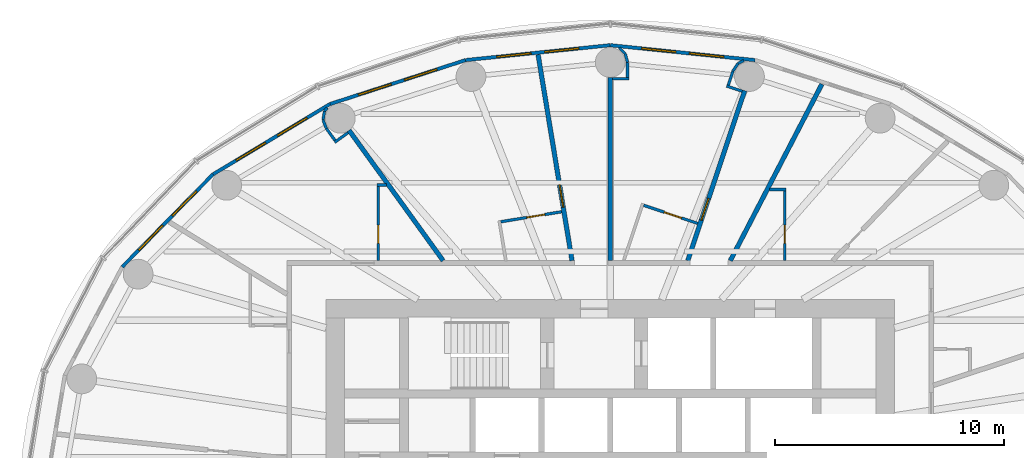
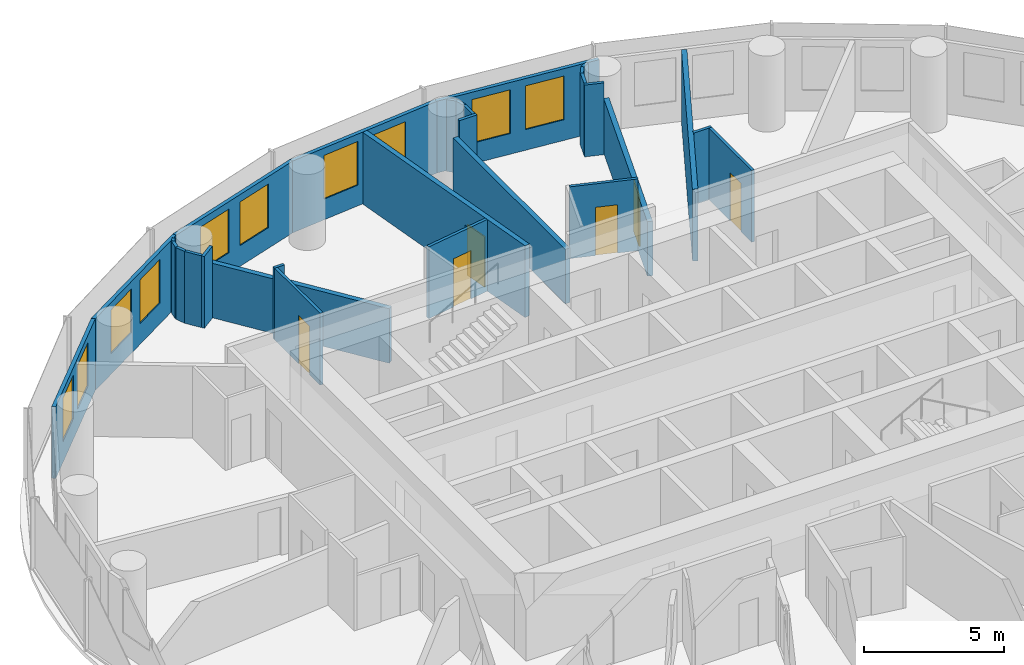
# One storey, part 11 of 13: 29 walls, 10 windows, 6 doors, 16 openings.
"""IFC4 building model written with IfcOpenShell, lengths in metres."""

from ifc_helpers import new_model, si_unit, direction, frame, frame_2d, origin, place, context, subcontext, project, spatial, rectangle, extrude, material, layer, layer_set, type_object, element, fill, save


model = new_model("IFC4")

# Units and contexts
model_context = context("Model", 3, precision=1e-05, world=origin(), true_north=direction((0.0, 1.0)))
body_context = subcontext(model_context, "Body", "Model", "MODEL_VIEW")
ifc_project = project(units=[si_unit("LENGTHUNIT", "METRE"), si_unit("AREAUNIT", "SQUARE_METRE"), si_unit("VOLUMEUNIT", "CUBIC_METRE"), si_unit("PLANEANGLEUNIT", "RADIAN"), si_unit("MASSUNIT", "GRAM", prefix="KILO")], contexts=[model_context])

# Site, building, storey
site_placement = place(None, origin())
site = spatial("IfcSite", under=ifc_project, at=site_placement, CompositionType="ELEMENT")
building_placement = place(site_placement, origin())
building = spatial("IfcBuilding", under=site, at=building_placement, Name="Hankou Lantern Tower", CompositionType="ELEMENT")
storey_placement = place(building_placement, frame((0.0, 0.0, 128.699951171875)))
storey = spatial("IfcBuildingStorey", under=building, at=storey_placement, Name="L33", CompositionType="ELEMENT", Elevation=128.699951171875)

# Wall, openings, windows
ifc_material_1 = material(Name="Aluminium spandrel panel on steel studs", Category="steel")
ifc_layer_1 = layer(ifc_material_1, 0.14990234375)
ifc_layer_set_1 = layer_set([ifc_layer_1], Name="Aluminium spandrel panel on steel studs")
wall_type_1 = type_object("IfcWallType", Name="EW1 INNER SKIN WALL 150", PredefinedType="ELEMENTEDWALL", material=ifc_layer_set_1)
wall_1_placement = place(storey_placement, frame((6.3134765625, 18.849609375, 0.0), z_axis=(0.0, 0.0, 1.0), x_axis=(-0.994735690163, 0.102473931887, 0.0)))
wall_1 = element("IfcWall", 1, at=wall_1_placement, inside=storey, type_object=wall_type_1, Name="Inner skin R06-R07 L33", PredefinedType="ELEMENTEDWALL", context=body_context, shape_type="SweptSolid", body=[
    extrude(rectangle(XDim=6.346923828125, YDim=0.14990234375, at=frame_2d((3.17333984375, 0.0))), origin(), (0.0, 0.0, 1.0), 3.1201171875),
])
opening_1_placement = place(wall_1_placement, frame((1.373291015625, 0.0, 0.89990234375)))
opening_1 = element("IfcOpeningElement", 2, at=opening_1_placement, cuts=wall_1, Name="Opening W2", PredefinedType="OPENING", context=body_context, shape_type="SweptSolid", body=[
    extrude(rectangle(XDim=1.5, YDim=1.89990234375, at=frame_2d((0.75, 0.949951171875))), frame((0.0, 0.0849609375, 0.0), z_axis=(0.0, -1.0, 0.0), x_axis=(1.0, 0.0, 0.0)), (0.0, 0.0, 1.0), 0.169921875),
])
opening_2_placement = place(wall_1_placement, frame((3.473388671875, 0.0, 0.89990234375)))
opening_2 = element("IfcOpeningElement", 3, at=opening_2_placement, cuts=wall_1, Name="Opening W2", PredefinedType="OPENING", context=body_context, shape_type="SweptSolid", body=[
    extrude(rectangle(XDim=1.5, YDim=1.89990234375, at=frame_2d((0.75, 0.949951171875))), frame((0.0, 0.0849609375, 0.0), z_axis=(0.0, -1.0, 0.0), x_axis=(1.0, 0.0, 0.0)), (0.0, 0.0, 1.0), 0.169921875),
])
ifc_material_2 = material(Name="Aluminium framed double glazed window", Category="aluminium")
window_type = type_object("IfcWindowType", Name="W2 GUEST ROOM WINDOW 1500X1900", PartitioningType="DOUBLE_PANEL_VERTICAL", PredefinedType="WINDOW", material=ifc_material_2)
window_1_placement = place(opening_1_placement, origin())
window_1 = element("IfcWindow", 4, at=window_1_placement, inside=storey, type_object=window_type, Name="Window R06.1 L33", OverallHeight=1.89990234375, OverallWidth=1.5, PartitioningType="SINGLE_PANEL", PredefinedType="WINDOW", context=body_context, shape_type="SweptSolid", body=[
    extrude(rectangle(XDim=1.5, YDim=1.89990234375, at=frame_2d((0.75, 0.949951171875))), frame((0.0, 0.030029296875, 0.0), z_axis=(0.0, -1.0, 0.0), x_axis=(1.0, 0.0, 0.0)), (0.0, 0.0, 1.0), 0.06005859375),
])
fill(opening_1, window_1)
window_2_placement = place(opening_2_placement, origin())
window_2 = element("IfcWindow", 5, at=window_2_placement, inside=storey, type_object=window_type, Name="Window R06.2 L33", OverallHeight=1.89990234375, OverallWidth=1.5, PartitioningType="SINGLE_PANEL", PredefinedType="WINDOW", context=body_context, shape_type="SweptSolid", body=[
    extrude(rectangle(XDim=1.5, YDim=1.89990234375, at=frame_2d((0.75, 0.949951171875))), frame((0.0, 0.030029296875, 0.0), z_axis=(0.0, -1.0, 0.0), x_axis=(1.0, 0.0, 0.0)), (0.0, 0.0, 1.0), 0.06005859375),
])
fill(opening_2, window_2)

wall_2_placement = place(storey_placement, frame((0.0, 19.5, 0.0), z_axis=(0.0, 0.0, 1.0), x_axis=(-0.994735690163, -0.102473931887, 0.0)))
wall_2 = element("IfcWall", 6, at=wall_2_placement, inside=storey, type_object=wall_type_1, Name="Inner skin R07-R08 L33", PredefinedType="ELEMENTEDWALL", context=body_context, shape_type="SweptSolid", body=[
    extrude(rectangle(XDim=6.346923828125, YDim=0.14990234375, at=frame_2d((3.17333984375, 0.0))), origin(), (0.0, 0.0, 1.0), 3.1201171875),
])
opening_3_placement = place(wall_2_placement, frame((1.373291015625, 0.0, 0.89990234375)))
opening_3 = element("IfcOpeningElement", 7, at=opening_3_placement, cuts=wall_2, Name="Opening W2", PredefinedType="OPENING", context=body_context, shape_type="SweptSolid", body=[
    extrude(rectangle(XDim=1.5, YDim=1.89990234375, at=frame_2d((0.75, 0.949951171875))), frame((0.0, 0.0849609375, 0.0), z_axis=(0.0, -1.0, 0.0), x_axis=(1.0, 0.0, 0.0)), (0.0, 0.0, 1.0), 0.169921875),
])
opening_4_placement = place(wall_2_placement, frame((3.473388671875, 0.0, 0.89990234375)))
opening_4 = element("IfcOpeningElement", 8, at=opening_4_placement, cuts=wall_2, Name="Opening W2", PredefinedType="OPENING", context=body_context, shape_type="SweptSolid", body=[
    extrude(rectangle(XDim=1.5, YDim=1.89990234375, at=frame_2d((0.75, 0.949951171875))), frame((0.0, 0.0849609375, 0.0), z_axis=(0.0, -1.0, 0.0), x_axis=(1.0, 0.0, 0.0)), (0.0, 0.0, 1.0), 0.169921875),
])
window_3_placement = place(opening_3_placement, origin())
window_3 = element("IfcWindow", 9, at=window_3_placement, inside=storey, type_object=window_type, Name="Window R07.1 L33", OverallHeight=1.89990234375, OverallWidth=1.5, PartitioningType="SINGLE_PANEL", PredefinedType="WINDOW", context=body_context, shape_type="SweptSolid", body=[
    extrude(rectangle(XDim=1.5, YDim=1.89990234375, at=frame_2d((0.75, 0.949951171875))), frame((0.0, 0.030029296875, 0.0), z_axis=(0.0, -1.0, 0.0), x_axis=(1.0, 0.0, 0.0)), (0.0, 0.0, 1.0), 0.06005859375),
])
fill(opening_3, window_3)
window_4_placement = place(opening_4_placement, origin())
window_4 = element("IfcWindow", 10, at=window_4_placement, inside=storey, type_object=window_type, Name="Window R07.2 L33", OverallHeight=1.89990234375, OverallWidth=1.5, PartitioningType="SINGLE_PANEL", PredefinedType="WINDOW", context=body_context, shape_type="SweptSolid", body=[
    extrude(rectangle(XDim=1.5, YDim=1.89990234375, at=frame_2d((0.75, 0.949951171875))), frame((0.0, 0.030029296875, 0.0), z_axis=(0.0, -1.0, 0.0), x_axis=(1.0, 0.0, 0.0)), (0.0, 0.0, 1.0), 0.06005859375),
])
fill(opening_4, window_4)

wall_3_placement = place(storey_placement, frame((-6.3134765625, 18.849609375, 0.0), z_axis=(0.0, 0.0, 1.0), x_axis=(-0.951272691506, -0.308350881944, 0.0)))
wall_3 = element("IfcWall", 11, at=wall_3_placement, inside=storey, type_object=wall_type_1, Name="Inner skin R08-R09 L33", PredefinedType="ELEMENTEDWALL", context=body_context, shape_type="SweptSolid", body=[
    extrude(rectangle(XDim=6.210693359375, YDim=0.14990234375, at=frame_2d((3.10546875, 0.0))), origin(), (0.0, 0.0, 1.0), 3.1201171875),
])
opening_5_placement = place(wall_3_placement, frame((1.305419921875, 0.0, 0.89990234375)))
opening_5 = element("IfcOpeningElement", 12, at=opening_5_placement, cuts=wall_3, Name="Opening W2", PredefinedType="OPENING", context=body_context, shape_type="SweptSolid", body=[
    extrude(rectangle(XDim=1.5, YDim=1.89990234375, at=frame_2d((0.75, 0.949951171875))), frame((0.0, 0.0849609375, 0.0), z_axis=(0.0, -1.0, 0.0), x_axis=(1.0, 0.0, 0.0)), (0.0, 0.0, 1.0), 0.169921875),
])
opening_6_placement = place(wall_3_placement, frame((3.4052734375, 0.0, 0.89990234375)))
opening_6 = element("IfcOpeningElement", 13, at=opening_6_placement, cuts=wall_3, Name="Opening W2", PredefinedType="OPENING", context=body_context, shape_type="SweptSolid", body=[
    extrude(rectangle(XDim=1.5, YDim=1.89990234375, at=frame_2d((0.75, 0.949951171875))), frame((0.0, 0.0849609375, 0.0), z_axis=(0.0, -1.0, 0.0), x_axis=(1.0, 0.0, 0.0)), (0.0, 0.0, 1.0), 0.169921875),
])
window_5_placement = place(opening_5_placement, origin())
window_5 = element("IfcWindow", 14, at=window_5_placement, inside=storey, type_object=window_type, Name="Window R08.1 L33", OverallHeight=1.89990234375, OverallWidth=1.5, PartitioningType="SINGLE_PANEL", PredefinedType="WINDOW", context=body_context, shape_type="SweptSolid", body=[
    extrude(rectangle(XDim=1.5, YDim=1.89990234375, at=frame_2d((0.75, 0.949951171875))), frame((0.0, 0.030029296875, 0.0), z_axis=(0.0, -1.0, 0.0), x_axis=(1.0, 0.0, 0.0)), (0.0, 0.0, 1.0), 0.06005859375),
])
fill(opening_5, window_5)
window_6_placement = place(opening_6_placement, origin())
window_6 = element("IfcWindow", 15, at=window_6_placement, inside=storey, type_object=window_type, Name="Window R08.2 L33", OverallHeight=1.89990234375, OverallWidth=1.5, PartitioningType="SINGLE_PANEL", PredefinedType="WINDOW", context=body_context, shape_type="SweptSolid", body=[
    extrude(rectangle(XDim=1.5, YDim=1.89990234375, at=frame_2d((0.75, 0.949951171875))), frame((0.0, 0.030029296875, 0.0), z_axis=(0.0, -1.0, 0.0), x_axis=(1.0, 0.0, 0.0)), (0.0, 0.0, 1.0), 0.06005859375),
])
fill(opening_6, window_6)

wall_4_placement = place(storey_placement, frame((-12.221435546875, 16.9345703125, 0.0), z_axis=(0.0, 0.0, 1.0), x_axis=(-0.857308573723, -0.514802884044, 0.0)))
wall_4 = element("IfcWall", 16, at=wall_4_placement, inside=storey, type_object=wall_type_1, Name="Inner skin R09-R10 L33", PredefinedType="ELEMENTEDWALL", context=body_context, shape_type="SweptSolid", body=[
    extrude(rectangle(XDim=5.961181640625, YDim=0.14990234375, at=frame_2d((2.98046875, 0.0))), origin(), (0.0, 0.0, 1.0), 3.1201171875),
])
opening_7_placement = place(wall_4_placement, frame((1.1806640625, 0.0, 0.89990234375)))
opening_7 = element("IfcOpeningElement", 17, at=opening_7_placement, cuts=wall_4, Name="Opening W2", PredefinedType="OPENING", context=body_context, shape_type="SweptSolid", body=[
    extrude(rectangle(XDim=1.5, YDim=1.89990234375, at=frame_2d((0.75, 0.949951171875))), frame((0.0, 0.0849609375, 0.0), z_axis=(0.0, -1.0, 0.0), x_axis=(1.0, 0.0, 0.0)), (0.0, 0.0, 1.0), 0.169921875),
])
opening_8_placement = place(wall_4_placement, frame((3.280517578125, 0.0, 0.89990234375)))
opening_8 = element("IfcOpeningElement", 18, at=opening_8_placement, cuts=wall_4, Name="Opening W2", PredefinedType="OPENING", context=body_context, shape_type="SweptSolid", body=[
    extrude(rectangle(XDim=1.5, YDim=1.89990234375, at=frame_2d((0.75, 0.949951171875))), frame((0.0, 0.0849609375, 0.0), z_axis=(0.0, -1.0, 0.0), x_axis=(1.0, 0.0, 0.0)), (0.0, 0.0, 1.0), 0.169921875),
])
window_7_placement = place(opening_7_placement, origin())
window_7 = element("IfcWindow", 19, at=window_7_placement, inside=storey, type_object=window_type, Name="Window R09.1 L33", OverallHeight=1.89990234375, OverallWidth=1.5, PartitioningType="SINGLE_PANEL", PredefinedType="WINDOW", context=body_context, shape_type="SweptSolid", body=[
    extrude(rectangle(XDim=1.5, YDim=1.89990234375, at=frame_2d((0.75, 0.949951171875))), frame((0.0, 0.030029296875, 0.0), z_axis=(0.0, -1.0, 0.0), x_axis=(1.0, 0.0, 0.0)), (0.0, 0.0, 1.0), 0.06005859375),
])
fill(opening_7, window_7)
window_8_placement = place(opening_8_placement, origin())
window_8 = element("IfcWindow", 20, at=window_8_placement, inside=storey, type_object=window_type, Name="Window R09.2 L33", OverallHeight=1.89990234375, OverallWidth=1.5, PartitioningType="SINGLE_PANEL", PredefinedType="WINDOW", context=body_context, shape_type="SweptSolid", body=[
    extrude(rectangle(XDim=1.5, YDim=1.89990234375, at=frame_2d((0.75, 0.949951171875))), frame((0.0, 0.030029296875, 0.0), z_axis=(0.0, -1.0, 0.0), x_axis=(1.0, 0.0, 0.0)), (0.0, 0.0, 1.0), 0.06005859375),
])
fill(opening_8, window_8)

wall_5_placement = place(storey_placement, frame((-17.33203125, 13.86572265625, 0.0), z_axis=(0.0, 0.0, 1.0), x_axis=(-0.700136650834, -0.714008872605, 0.0)))
wall_5 = element("IfcWall", 21, at=wall_5_placement, inside=storey, type_object=wall_type_1, Name="Inner skin R10-R11 L33", PredefinedType="ELEMENTEDWALL", context=body_context, shape_type="SweptSolid", body=[
    extrude(rectangle(XDim=5.6494140625, YDim=0.14990234375, at=frame_2d((2.82470703125, 0.0))), origin(), (0.0, 0.0, 1.0), 3.1201171875),
])
opening_9_placement = place(wall_5_placement, frame((1.024658203125, 0.0, 0.89990234375)))
opening_9 = element("IfcOpeningElement", 22, at=opening_9_placement, cuts=wall_5, Name="Opening W2", PredefinedType="OPENING", context=body_context, shape_type="SweptSolid", body=[
    extrude(rectangle(XDim=1.5, YDim=1.89990234375, at=frame_2d((0.75, 0.949951171875))), frame((0.0, 0.0849609375, 0.0), z_axis=(0.0, -1.0, 0.0), x_axis=(1.0, 0.0, 0.0)), (0.0, 0.0, 1.0), 0.169921875),
])
opening_10_placement = place(wall_5_placement, frame((3.12451171875, 0.0, 0.89990234375)))
opening_10 = element("IfcOpeningElement", 23, at=opening_10_placement, cuts=wall_5, Name="Opening W2", PredefinedType="OPENING", context=body_context, shape_type="SweptSolid", body=[
    extrude(rectangle(XDim=1.5, YDim=1.89990234375, at=frame_2d((0.75, 0.949951171875))), frame((0.0, 0.0849609375, 0.0), z_axis=(0.0, -1.0, 0.0), x_axis=(1.0, 0.0, 0.0)), (0.0, 0.0, 1.0), 0.169921875),
])
window_9_placement = place(opening_9_placement, origin())
window_9 = element("IfcWindow", 24, at=window_9_placement, inside=storey, type_object=window_type, Name="Window R10.1 L33", OverallHeight=1.89990234375, OverallWidth=1.5, PartitioningType="SINGLE_PANEL", PredefinedType="WINDOW", context=body_context, shape_type="SweptSolid", body=[
    extrude(rectangle(XDim=1.5, YDim=1.89990234375, at=frame_2d((0.75, 0.949951171875))), frame((0.0, 0.030029296875, 0.0), z_axis=(0.0, -1.0, 0.0), x_axis=(1.0, 0.0, 0.0)), (0.0, 0.0, 1.0), 0.06005859375),
])
fill(opening_9, window_9)
window_10_placement = place(opening_10_placement, origin())
window_10 = element("IfcWindow", 25, at=window_10_placement, inside=storey, type_object=window_type, Name="Window R10.2 L33", OverallHeight=1.89990234375, OverallWidth=1.5, PartitioningType="SINGLE_PANEL", PredefinedType="WINDOW", context=body_context, shape_type="SweptSolid", body=[
    extrude(rectangle(XDim=1.5, YDim=1.89990234375, at=frame_2d((0.75, 0.949951171875))), frame((0.0, 0.030029296875, 0.0), z_axis=(0.0, -1.0, 0.0), x_axis=(1.0, 0.0, 0.0)), (0.0, 0.0, 1.0), 0.06005859375),
])
fill(opening_10, window_10)

# Walls
ifc_material_3 = material(Name="Masonry lightweight concrete block", Category="masonry")
ifc_layer_2 = layer(ifc_material_3, 0.199951171875)
ifc_layer_set_2 = layer_set([ifc_layer_2], Name="Masonry lightweight concrete block")
wall_type_2 = type_object("IfcWallType", Name="IW1 GUEST ROOM PARTY WALL 200", PredefinedType="PARTITIONING", material=ifc_layer_set_2)
wall_6_placement = place(storey_placement, frame((-7.2890625, 10.10009765625, 0.0), z_axis=(0.0, 0.0, 1.0), x_axis=(-0.585217367024, 0.81087645997, 0.0)))
element("IfcWall", 26, at=wall_6_placement, inside=storey, type_object=wall_type_2, Name="Party wall R09", PredefinedType="PARTITIONING", context=body_context, shape_type="SweptSolid", body=[
    extrude(rectangle(XDim=7.01611328125, YDim=0.199951171875, at=frame_2d((3.508056640625, 0.0))), origin(), (0.0, 0.0, 1.0), 2.3701171875),
])
ifc_material_4 = material(Name="Masonry lightweight concrete block", Category="masonry")
ifc_layer_3 = layer(ifc_material_4, 0.199951171875)
ifc_layer_set_3 = layer_set([ifc_layer_3], Name="Masonry lightweight concrete block")
wall_type_3 = type_object("IfcWallType", Name="IW2 CORRIDOR WALL 200", PredefinedType="PARTITIONING", material=ifc_layer_set_3)
wall_7_placement = place(storey_placement, frame((5.2392578125, 10.10009765625, 0.0), z_axis=(0.0, 0.0, 1.0), x_axis=(0.4604797896, 0.887670188398, 0.0)))
element("IfcWall", 27, at=wall_7_placement, inside=storey, type_object=wall_type_3, Name="Corridor spur wall R05-R06", PredefinedType="PARTITIONING", context=body_context, shape_type="SweptSolid", body=[
    extrude(rectangle(XDim=8.676025390625, YDim=0.199951171875, at=frame_2d((4.337890625, 0.0))), origin(), (0.0, 0.0, 1.0), 3.1201171875),
])

# Wall, opening, door
wall_8_placement = place(storey_placement, frame((3.3828125, 10.10009765625, 0.0), z_axis=(0.0, 0.0, 1.0), x_axis=(0.317603705574, 0.948223542318, 0.0)))
wall_8 = element("IfcWall", 28, at=wall_8_placement, inside=storey, type_object=wall_type_3, Name="Corridor spur wall R06", PredefinedType="PARTITIONING", context=body_context, shape_type="SweptSolid", body=[
    extrude(rectangle(XDim=7.822998046875, YDim=0.199951171875, at=frame_2d((3.91162109375, 0.0))), origin(), (0.0, 0.0, 1.0), 2.3701171875),
])
opening_11_placement = place(wall_8_placement, frame((1.860107421875, 0.0, 0.0)))
opening_11 = element("IfcOpeningElement", 29, at=opening_11_placement, cuts=wall_8, Name="Opening D1", PredefinedType="OPENING", context=body_context, shape_type="SweptSolid", body=[
    extrude(rectangle(XDim=1.0, YDim=2.199951171875, at=frame_2d((0.5, 1.10009765625))), frame((0.0, 0.10986328125, 0.0), z_axis=(0.0, -1.0, 0.0), x_axis=(1.0, 0.0, 0.0)), (0.0, 0.0, 1.0), 0.219970703125),
])
ifc_material_5 = material(Name="Steel door leaf", Category="steel")
door_type_1 = type_object("IfcDoorType", Name="D1 GUEST ROOM DOOR 1000X2200", OperationType="SINGLE_SWING_LEFT", PredefinedType="DOOR", material=ifc_material_5)
door_1_placement = place(opening_11_placement, origin())
door_1 = element("IfcDoor", 30, at=door_1_placement, inside=storey, type_object=door_type_1, Name="Guest room door 3302", OperationType="SINGLE_SWING_LEFT", OverallHeight=2.199951171875, OverallWidth=1.0, PredefinedType="DOOR", context=body_context, shape_type="SweptSolid", body=[
    extrude(rectangle(XDim=1.0, YDim=2.199951171875, at=frame_2d((0.5, 1.10009765625))), frame((0.0, 0.02490234375, 0.0), z_axis=(0.0, -1.0, 0.0), x_axis=(1.0, 0.0, 0.0)), (0.0, 0.0, 1.0), 0.050048828125),
])
fill(opening_11, door_1)

# Wall
wall_9_placement = place(storey_placement, frame((0.0, 10.10009765625, 0.0), z_axis=(0.0, 0.0, 1.0), x_axis=(0.0, 1.0, 0.0)))
element("IfcWall", 31, at=wall_9_placement, inside=storey, type_object=wall_type_3, Name="Corridor spur wall R07", PredefinedType="PARTITIONING", context=body_context, shape_type="SweptSolid", body=[
    extrude(rectangle(XDim=8.0, YDim=0.199951171875, at=frame_2d((4.0, 0.0))), origin(), (0.0, 0.0, 1.0), 2.3701171875),
])

# Wall, opening, door
wall_10_placement = place(storey_placement, frame((-1.665283203125, 10.10009765625, 0.0), z_axis=(0.0, 0.0, 1.0), x_axis=(-0.162660519103, 0.986682094459, 0.0)))
wall_10 = element("IfcWall", 32, at=wall_10_placement, inside=storey, type_object=wall_type_3, Name="Corridor spur wall R07-R08", PredefinedType="PARTITIONING", context=body_context, shape_type="SweptSolid", body=[
    extrude(rectangle(XDim=9.110595703125, YDim=0.199951171875, at=frame_2d((4.55517578125, 0.0))), origin(), (0.0, 0.0, 1.0), 3.1201171875),
])
opening_12_placement = place(wall_10_placement, frame((2.360107421875, 0.0, 0.0)))
opening_12 = element("IfcOpeningElement", 33, at=opening_12_placement, cuts=wall_10, Name="Opening D1", PredefinedType="OPENING", context=body_context, shape_type="SweptSolid", body=[
    extrude(rectangle(XDim=1.0, YDim=2.199951171875, at=frame_2d((0.5, 1.10009765625))), frame((0.0, 0.10986328125, 0.0), z_axis=(0.0, -1.0, 0.0), x_axis=(1.0, 0.0, 0.0)), (0.0, 0.0, 1.0), 0.219970703125),
])
door_2_placement = place(opening_12_placement, origin())
door_2 = element("IfcDoor", 34, at=door_2_placement, inside=storey, type_object=door_type_1, Name="Guest room door 3304", OperationType="SINGLE_SWING_LEFT", OverallHeight=2.199951171875, OverallWidth=1.0, PredefinedType="DOOR", context=body_context, shape_type="SweptSolid", body=[
    extrude(rectangle(XDim=1.0, YDim=2.199951171875, at=frame_2d((0.5, 1.10009765625))), frame((0.0, 0.02490234375, 0.0), z_axis=(0.0, -1.0, 0.0), x_axis=(1.0, 0.0, 0.0)), (0.0, 0.0, 1.0), 0.050048828125),
])
fill(opening_12, door_2)

ifc_material_6 = material(Name="Masonry lightweight concrete block", Category="masonry")
ifc_layer_4 = layer(ifc_material_6, 0.1201171875)
ifc_layer_set_4 = layer_set([ifc_layer_4], Name="Masonry lightweight concrete block")
wall_type_4 = type_object("IfcWallType", Name="IW3 BATHROOM WALL 120", PredefinedType="PARTITIONING", material=ifc_layer_set_4)
wall_11_placement = place(storey_placement, frame((3.821533203125, 11.724853515625, 0.0), z_axis=(0.0, 0.0, 1.0), x_axis=(-0.948231307998, 0.317580519761, 0.0)))
wall_11 = element("IfcWall", 35, at=wall_11_placement, inside=storey, type_object=wall_type_4, Name="Box wall 3302 1", PredefinedType="PARTITIONING", context=body_context, shape_type="SweptSolid", body=[
    extrude(rectangle(XDim=2.489990234375, YDim=0.1201171875, at=frame_2d((1.2451171875, 0.0))), origin(), (0.0, 0.0, 1.0), 3.1201171875),
])
opening_13_placement = place(wall_11_placement, frame((0.75, 0.0, 0.0)))
opening_13 = element("IfcOpeningElement", 36, at=opening_13_placement, cuts=wall_11, Name="Opening D3", PredefinedType="OPENING", context=body_context, shape_type="SweptSolid", body=[
    extrude(rectangle(XDim=0.800048828125, YDim=2.10009765625, at=frame_2d((0.39990234375, 1.050048828125))), frame((0.0, 0.070068359375, 0.0), z_axis=(0.0, -1.0, 0.0), x_axis=(1.0, 0.0, 0.0)), (0.0, 0.0, 1.0), 0.14013671875),
])
ifc_material_7 = material(Name="Timber door leaf", Category="wood")
door_type_2 = type_object("IfcDoorType", Name="D3 BATHROOM DOOR 800X2100", OperationType="SINGLE_SWING_LEFT", PredefinedType="DOOR", material=ifc_material_7)
door_3_placement = place(opening_13_placement, origin())
door_3 = element("IfcDoor", 37, at=door_3_placement, inside=storey, type_object=door_type_2, Name="En-suite bathroom 3302 door", OperationType="SINGLE_SWING_LEFT", OverallHeight=2.10009765625, OverallWidth=0.800048828125, PredefinedType="DOOR", context=body_context, shape_type="SweptSolid", body=[
    extrude(rectangle(XDim=0.800048828125, YDim=2.10009765625, at=frame_2d((0.39990234375, 1.050048828125))), frame((0.0, 0.02490234375, 0.0), z_axis=(0.0, -1.0, 0.0), x_axis=(1.0, 0.0, 0.0)), (0.0, 0.0, 1.0), 0.050048828125),
])
fill(opening_13, door_3)

wall_12_placement = place(storey_placement, frame((-2.118408203125, 12.234619140625, 0.0), z_axis=(0.0, 0.0, 1.0), x_axis=(-0.986686682911, -0.16263268357, 0.0)))
wall_12 = element("IfcWall", 38, at=wall_12_placement, inside=storey, type_object=wall_type_4, Name="Box wall 3304 1", PredefinedType="PARTITIONING", context=body_context, shape_type="SweptSolid", body=[
    extrude(rectangle(XDim=2.690185546875, YDim=0.1201171875, at=frame_2d((1.34521484375, 0.0))), origin(), (0.0, 0.0, 1.0), 3.1201171875),
])
opening_14_placement = place(wall_12_placement, frame((0.75, 0.0, 0.0)))
opening_14 = element("IfcOpeningElement", 39, at=opening_14_placement, cuts=wall_12, Name="Opening D3", PredefinedType="OPENING", context=body_context, shape_type="SweptSolid", body=[
    extrude(rectangle(XDim=0.800048828125, YDim=2.10009765625, at=frame_2d((0.39990234375, 1.050048828125))), frame((0.0, 0.070068359375, 0.0), z_axis=(0.0, -1.0, 0.0), x_axis=(1.0, 0.0, 0.0)), (0.0, 0.0, 1.0), 0.14013671875),
])
door_4_placement = place(opening_14_placement, origin())
door_4 = element("IfcDoor", 40, at=door_4_placement, inside=storey, type_object=door_type_2, Name="En-suite bathroom 3304 door", OperationType="SINGLE_SWING_LEFT", OverallHeight=2.10009765625, OverallWidth=0.800048828125, PredefinedType="DOOR", context=body_context, shape_type="SweptSolid", body=[
    extrude(rectangle(XDim=0.800048828125, YDim=2.10009765625, at=frame_2d((0.39990234375, 1.050048828125))), frame((0.0, 0.02490234375, 0.0), z_axis=(0.0, -1.0, 0.0), x_axis=(1.0, 0.0, 0.0)), (0.0, 0.0, 1.0), 0.050048828125),
])
fill(opening_14, door_4)

# Wall
wall_13_placement = place(storey_placement, frame((-9.7705078125, 13.39990234375, 0.0), z_axis=(0.0, 0.0, 1.0), x_axis=(-1.0, 0.0, 0.0)))
element("IfcWall", 41, at=wall_13_placement, inside=storey, type_object=wall_type_4, Name="Box wall 3305 1", PredefinedType="PARTITIONING", context=body_context, shape_type="SweptSolid", body=[
    extrude(rectangle(XDim=0.408447265625, YDim=0.1201171875, at=frame_2d((0.2041015625, 0.0))), origin(), (0.0, 0.0, 1.0), 3.1201171875),
])

# Wall, opening, door
wall_14_placement = place(storey_placement, frame((-10.119140625, 10.10009765625, 0.0), z_axis=(0.0, 0.0, 1.0), x_axis=(0.0, 1.0, 0.0)))
wall_14 = element("IfcWall", 42, at=wall_14_placement, inside=storey, type_object=wall_type_4, Name="Box wall 3305 1", PredefinedType="PARTITIONING", context=body_context, shape_type="SweptSolid", body=[
    extrude(rectangle(XDim=3.239990234375, YDim=0.1201171875, at=frame_2d((1.6201171875, 0.0))), origin(), (0.0, 0.0, 1.0), 3.1201171875),
])
opening_15_placement = place(wall_14_placement, frame((0.75, 0.0, 0.0)))
opening_15 = element("IfcOpeningElement", 43, at=opening_15_placement, cuts=wall_14, Name="Opening D3", PredefinedType="OPENING", context=body_context, shape_type="SweptSolid", body=[
    extrude(rectangle(XDim=0.800048828125, YDim=2.10009765625, at=frame_2d((0.39990234375, 1.050048828125))), frame((0.0, 0.070068359375, 0.0), z_axis=(0.0, -1.0, 0.0), x_axis=(1.0, 0.0, 0.0)), (0.0, 0.0, 1.0), 0.14013671875),
])
door_5_placement = place(opening_15_placement, origin())
door_5 = element("IfcDoor", 44, at=door_5_placement, inside=storey, type_object=door_type_2, Name="En-suite bathroom 3305 door", OperationType="SINGLE_SWING_LEFT", OverallHeight=2.10009765625, OverallWidth=0.800048828125, PredefinedType="DOOR", context=body_context, shape_type="SweptSolid", body=[
    extrude(rectangle(XDim=0.800048828125, YDim=2.10009765625, at=frame_2d((0.39990234375, 1.050048828125))), frame((0.0, 0.02490234375, 0.0), z_axis=(0.0, -1.0, 0.0), x_axis=(1.0, 0.0, 0.0)), (0.0, 0.0, 1.0), 0.050048828125),
])
fill(opening_15, door_5)

# Wall
wall_15_placement = place(storey_placement, frame((6.947265625, 13.199951171875, 0.0), z_axis=(0.0, 0.0, 1.0), x_axis=(1.0, 0.0, 0.0)))
element("IfcWall", 45, at=wall_15_placement, inside=storey, type_object=wall_type_4, Name="Box wall 3318A 1", PredefinedType="PARTITIONING", context=body_context, shape_type="SweptSolid", body=[
    extrude(rectangle(XDim=0.73193359375, YDim=0.1201171875, at=frame_2d((0.365966796875, 0.0))), origin(), (0.0, 0.0, 1.0), 3.1201171875),
])

# Wall, opening, door
wall_16_placement = place(storey_placement, frame((7.619384765625, 10.10009765625, 0.0), z_axis=(0.0, 0.0, 1.0), x_axis=(0.0, 1.0, 0.0)))
wall_16 = element("IfcWall", 46, at=wall_16_placement, inside=storey, type_object=wall_type_4, Name="Box wall 3318A 1", PredefinedType="PARTITIONING", context=body_context, shape_type="SweptSolid", body=[
    extrude(rectangle(XDim=3.039794921875, YDim=0.1201171875, at=frame_2d((1.52001953125, 0.0))), origin(), (0.0, 0.0, 1.0), 3.1201171875),
])
opening_16_placement = place(wall_16_placement, frame((0.75, 0.0, 0.0)))
opening_16 = element("IfcOpeningElement", 47, at=opening_16_placement, cuts=wall_16, Name="Opening D3", PredefinedType="OPENING", context=body_context, shape_type="SweptSolid", body=[
    extrude(rectangle(XDim=0.800048828125, YDim=2.10009765625, at=frame_2d((0.39990234375, 1.050048828125))), frame((0.0, 0.070068359375, 0.0), z_axis=(0.0, -1.0, 0.0), x_axis=(1.0, 0.0, 0.0)), (0.0, 0.0, 1.0), 0.14013671875),
])
door_6_placement = place(opening_16_placement, origin())
door_6 = element("IfcDoor", 48, at=door_6_placement, inside=storey, type_object=door_type_2, Name="Corner suite 3318 bathroom door", OperationType="SINGLE_SWING_LEFT", OverallHeight=2.10009765625, OverallWidth=0.800048828125, PredefinedType="DOOR", context=body_context, shape_type="SweptSolid", body=[
    extrude(rectangle(XDim=0.800048828125, YDim=2.10009765625, at=frame_2d((0.39990234375, 1.050048828125))), frame((0.0, 0.02490234375, 0.0), z_axis=(0.0, -1.0, 0.0), x_axis=(1.0, 0.0, 0.0)), (0.0, 0.0, 1.0), 0.050048828125),
])
fill(opening_16, door_6)

# Walls
ifc_material_8 = material(Name="Masonry lightweight concrete block", Category="masonry")
ifc_layer_5 = layer(ifc_material_8, 0.1201171875)
ifc_layer_set_5 = layer_set([ifc_layer_5], Name="Masonry lightweight concrete block")
wall_type_5 = type_object("IfcWallType", Name="IW4 PARTITION 120", PredefinedType="PARTITIONING", material=ifc_layer_set_5)
wall_17_placement = place(storey_placement, frame((5.753662109375, 17.492919921875, 0.0), z_axis=(0.0, 0.0, 1.0), x_axis=(-0.9482389443, 0.317557718397, 0.0)))
element("IfcWall", 49, at=wall_17_placement, inside=storey, type_object=wall_type_5, Name="Column casing R06 return", PredefinedType="PARTITIONING", context=body_context, shape_type="SweptSolid", body=[
    extrude(rectangle(XDim=0.7158203125, YDim=0.1201171875, at=frame_2d((0.35791015625, 0.0))), origin(), (0.0, 0.0, 1.0), 3.1201171875),
])
wall_18_placement = place(storey_placement, frame((5.15087890625, 17.758056640625, 0.0), z_axis=(0.0, 0.0, 1.0), x_axis=(0.317354244456, 0.948307061835, 0.0)))
element("IfcWall", 50, at=wall_18_placement, inside=storey, type_object=wall_type_5, Name="Column casing R06", PredefinedType="PARTITIONING", context=body_context, shape_type="SweptSolid", body=[
    extrude(rectangle(XDim=0.650146484375, YDim=0.1201171875, at=frame_2d((0.3251953125, 0.0))), origin(), (0.0, 0.0, 1.0), 3.1201171875),
])
wall_19_placement = place(storey_placement, frame((5.357177734375, 18.37451171875, 0.0), z_axis=(0.0, 0.0, 1.0), x_axis=(0.552249752128, 0.833678721856, 0.0)))
element("IfcWall", 51, at=wall_19_placement, inside=storey, type_object=wall_type_5, Name="Column casing R06", PredefinedType="PARTITIONING", context=body_context, shape_type="SweptSolid", body=[
    extrude(rectangle(XDim=0.391357421875, YDim=0.1201171875, at=frame_2d((0.19580078125, 0.0))), origin(), (0.0, 0.0, 1.0), 3.1201171875),
])
wall_20_placement = place(storey_placement, frame((5.5732421875, 18.70068359375, 0.0), z_axis=(0.0, 0.0, 1.0), x_axis=(0.895295561985, 0.445472621707, 0.0)))
element("IfcWall", 52, at=wall_20_placement, inside=storey, type_object=wall_type_5, Name="Column casing R06", PredefinedType="PARTITIONING", context=body_context, shape_type="SweptSolid", body=[
    extrude(rectangle(XDim=0.280517578125, YDim=0.1201171875, at=frame_2d((0.14013671875, 0.0))), origin(), (0.0, 0.0, 1.0), 3.1201171875),
])
wall_21_placement = place(storey_placement, frame((0.10009765625, 18.0400390625, 0.0), z_axis=(0.0, 0.0, 1.0), x_axis=(1.0, 0.0, 0.0)))
element("IfcWall", 53, at=wall_21_placement, inside=storey, type_object=wall_type_5, Name="Column casing R07 return", PredefinedType="PARTITIONING", context=body_context, shape_type="SweptSolid", body=[
    extrude(rectangle(XDim=0.715576171875, YDim=0.1201171875, at=frame_2d((0.35791015625, 0.0))), origin(), (0.0, 0.0, 1.0), 3.1201171875),
])
wall_22_placement = place(storey_placement, frame((0.755859375, 18.10009765625, 0.0), z_axis=(0.0, 0.0, 1.0), x_axis=(0.0, 1.0, 0.0)))
element("IfcWall", 54, at=wall_22_placement, inside=storey, type_object=wall_type_5, Name="Column casing R07", PredefinedType="PARTITIONING", context=body_context, shape_type="SweptSolid", body=[
    extrude(rectangle(XDim=0.64990234375, YDim=0.1201171875, at=frame_2d((0.324951171875, 0.0))), origin(), (0.0, 0.0, 1.0), 3.1201171875),
])
wall_23_placement = place(storey_placement, frame((0.755859375, 18.75, 0.0), z_axis=(0.0, 0.0, 1.0), x_axis=(-0.2589440045, 0.965892334856, 0.0)))
element("IfcWall", 55, at=wall_23_placement, inside=storey, type_object=wall_type_5, Name="Column casing R07", PredefinedType="PARTITIONING", context=body_context, shape_type="SweptSolid", body=[
    extrude(rectangle(XDim=0.391357421875, YDim=0.1201171875, at=frame_2d((0.19580078125, 0.0))), origin(), (0.0, 0.0, 1.0), 3.1201171875),
])
wall_24_placement = place(storey_placement, frame((0.654541015625, 19.1279296875, 0.0), z_axis=(0.0, 0.0, 1.0), x_axis=(-0.707443899976, 0.706769501596, 0.0)))
element("IfcWall", 56, at=wall_24_placement, inside=storey, type_object=wall_type_5, Name="Column casing R07", PredefinedType="PARTITIONING", context=body_context, shape_type="SweptSolid", body=[
    extrude(rectangle(XDim=0.362060546875, YDim=0.1201171875, at=frame_2d((0.18115234375, 0.0))), origin(), (0.0, 0.0, 1.0), 3.1201171875),
])
wall_25_placement = place(storey_placement, frame((-11.44091796875, 15.68212890625, 0.0), z_axis=(0.0, 0.0, 1.0), x_axis=(-0.810796141244, -0.585328640461, 0.0)))
element("IfcWall", 57, at=wall_25_placement, inside=storey, type_object=wall_type_5, Name="Column casing R09 return", PredefinedType="PARTITIONING", context=body_context, shape_type="SweptSolid", body=[
    extrude(rectangle(XDim=0.7158203125, YDim=0.1201171875, at=frame_2d((0.35791015625, 0.0))), origin(), (0.0, 0.0, 1.0), 3.1201171875),
])
wall_26_placement = place(storey_placement, frame((-12.0078125, 15.346923828125, 0.0), z_axis=(0.0, 0.0, 1.0), x_axis=(-0.585175102182, 0.810906961239, 0.0)))
element("IfcWall", 58, at=wall_26_placement, inside=storey, type_object=wall_type_5, Name="Column casing R09", PredefinedType="PARTITIONING", context=body_context, shape_type="SweptSolid", body=[
    extrude(rectangle(XDim=0.64990234375, YDim=0.1201171875, at=frame_2d((0.324951171875, 0.0))), origin(), (0.0, 0.0, 1.0), 3.1201171875),
])
for number, where, z_axis, x_axis, name in (
    (59, (-12.38818359375, 15.8740234375, 0.0), (0.0, 0.0, 1.0), (-0.355086882425, 0.934833303819, 0.0), "Column casing R09"),
    (60, (-12.527099609375, 16.23974609375, 0.0), (0.0, 0.0, 1.0), (0.159134335894, 0.987256938765, 0.0), "Column casing R09"),
):
    element("IfcWall", number, at=place(storey_placement, frame(where, z_axis=z_axis, x_axis=x_axis)), inside=storey, type_object=wall_type_5, Name=name, PredefinedType="PARTITIONING", context=body_context, shape_type="SweptSolid", body=[
        extrude(rectangle(XDim=0.39111328125, YDim=0.1201171875, at=frame_2d((0.195556640625, 0.0))), origin(), (0.0, 0.0, 1.0), 3.1201171875),
    ])
wall_27_placement = place(storey_placement, frame((-12.46484375, 16.6259765625, 0.0), z_axis=(0.0, 0.0, 1.0), x_axis=(0.631672951162, 0.775234985517, 0.0)))
element("IfcWall", 61, at=wall_27_placement, inside=storey, type_object=wall_type_5, Name="Column casing R09", PredefinedType="PARTITIONING", context=body_context, shape_type="SweptSolid", body=[
    extrude(rectangle(XDim=0.18701171875, YDim=0.1201171875, at=frame_2d((0.093505859375, 0.0))), origin(), (0.0, 0.0, 1.0), 3.1201171875),
])

save(model, "model.ifc")
